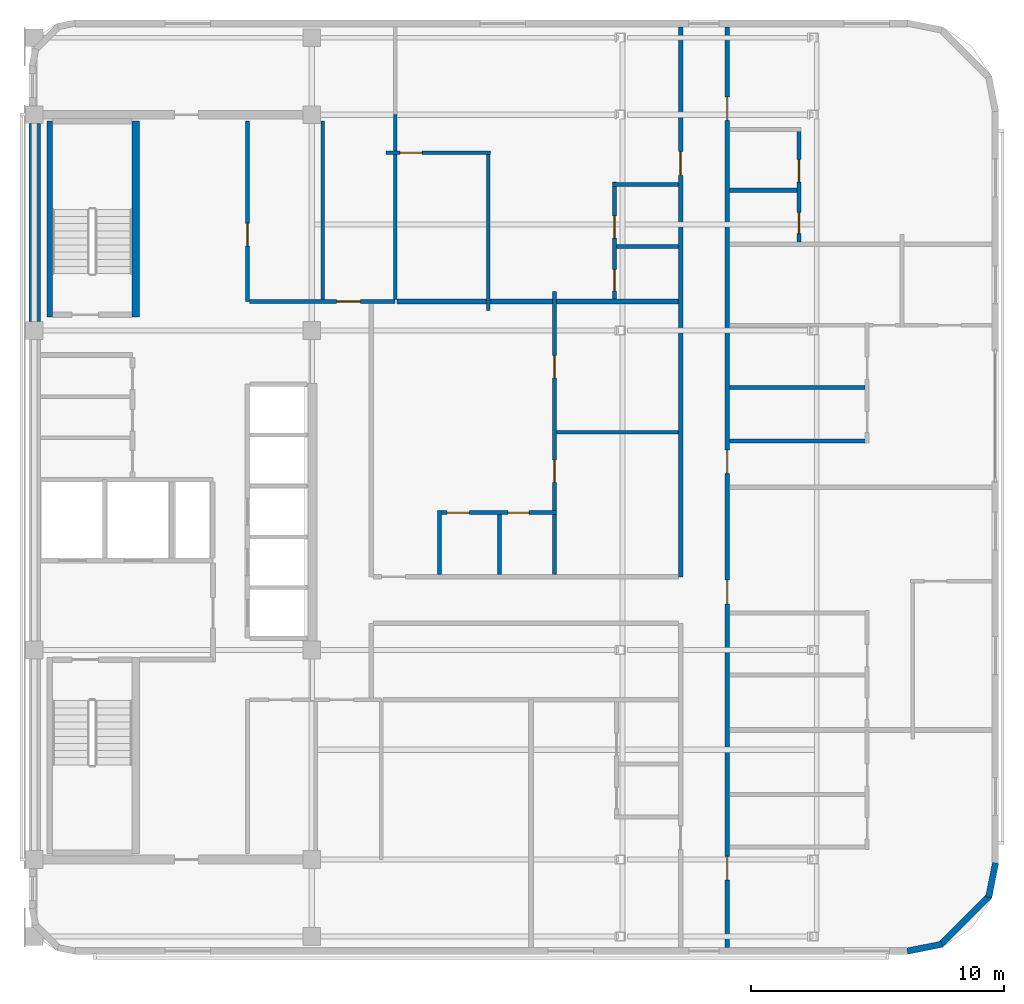
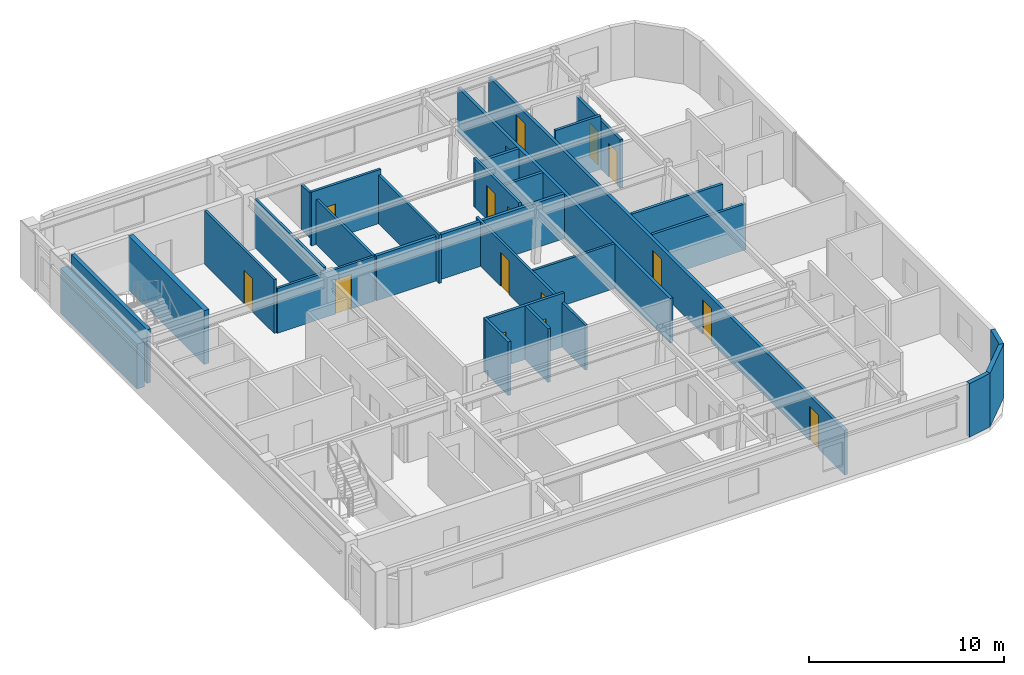
# One storey, part 5 of 10: 27 walls, 16 doors, 16 openings.
"""IFC4 building model written with IfcOpenShell, lengths in metres."""

from ifc_helpers import new_model, si_unit, direction, frame, frame_2d, origin, place, context, subcontext, project, spatial, rectangle, extrude, material, layer, layer_set, type_object, element, fill, save


model = new_model("IFC4")

# Units and contexts
model_context = context("Model", 3, precision=1e-05, world=origin(), true_north=direction((0.0, 1.0)))
body_context = subcontext(model_context, "Body", "Model", "MODEL_VIEW")
ifc_project = project(units=[si_unit("LENGTHUNIT", "METRE"), si_unit("AREAUNIT", "SQUARE_METRE"), si_unit("VOLUMEUNIT", "CUBIC_METRE"), si_unit("PLANEANGLEUNIT", "RADIAN"), si_unit("MASSUNIT", "GRAM", prefix="KILO")], contexts=[model_context])

# Site, building, storey
site_placement = place(None, origin())
site = spatial("IfcSite", under=ifc_project, at=site_placement, CompositionType="ELEMENT")
building_placement = place(site_placement, origin())
building = spatial("IfcBuilding", under=site, at=building_placement, Name="Ochreholt Gables", CompositionType="ELEMENT")
storey_placement = place(building_placement, frame((0.0, 0.0, 213.0)))
storey = spatial("IfcBuildingStorey", under=building, at=storey_placement, Name="L55", CompositionType="ELEMENT", Elevation=213.0)

# Walls
ifc_material_1 = material(Name="Concrete 50 MPa", Category="concrete")
ifc_layer_1 = layer(ifc_material_1, 0.449951171875, Name="Concrete 50 MPa")
ifc_layer_set_1 = layer_set([ifc_layer_1], Name="Concrete 50 MPa")
wall_type_1 = type_object("IfcWallType", Name="WALL-CSW-EXT", PredefinedType="SHEAR", material=ifc_layer_set_1)
wall_1_placement = place(storey_placement, frame((24.22509765625, 30.550048828125, 0.0), z_axis=(0.0, 0.0, 1.0), x_axis=(0.0, 1.0, 0.0)))
element("IfcWall", 1, at=wall_1_placement, inside=storey, type_object=wall_type_1, Name="L55 Core West Shear Wall WN", PredefinedType="SHEAR", context=body_context, shape_type="SweptSolid", body=[
    extrude(rectangle(XDim=7.849853515625, YDim=0.449951171875, at=frame_2d((3.9248046875, 0.0))), origin(), (0.0, 0.0, 1.0), 2.821044921875),
])
ifc_material_2 = material(Name="Precast concrete 40 MPa", Category="concrete")
ifc_layer_2 = layer(ifc_material_2, 0.25, Name="Precast concrete 40 MPa")
ifc_layer_set_2 = layer_set([ifc_layer_2], Name="Precast concrete 40 MPa")
wall_type_2 = type_object("IfcWallType", Name="WALL-EXT-CNR", PredefinedType="SOLIDWALL", material=ifc_layer_set_2)
wall_2_placement = place(storey_placement, frame((58.783447265625, 5.624267578125, 0.0), z_axis=(0.0, 0.0, 1.0), x_axis=(0.980809899341, 0.19496651342, 0.0)))
element("IfcWall", 2, at=wall_2_placement, inside=storey, type_object=wall_type_2, Name="L55 Rounded Corner Wall SE-1", PredefinedType="SOLIDWALL", context=body_context, shape_type="SweptSolid", body=[
    extrude(rectangle(XDim=1.388671875, YDim=0.25, at=frame_2d((0.6943359375, 0.0))), origin(), (0.0, 0.0, 1.0), 3.360107421875),
])
wall_3_placement = place(storey_placement, frame((60.094970703125, 5.867919921875, 0.0), z_axis=(0.0, 0.0, 1.0), x_axis=(0.707106781187, 0.707106781187, 0.0)))
element("IfcWall", 3, at=wall_3_placement, inside=storey, type_object=wall_type_2, Name="L55 Rounded Corner Wall SE-2", PredefinedType="SOLIDWALL", context=body_context, shape_type="SweptSolid", body=[
    extrude(rectangle(XDim=2.7392578125, YDim=0.25, at=frame_2d((1.36962890625, 0.0))), origin(), (0.0, 0.0, 1.0), 3.360107421875),
])
wall_4_placement = place(storey_placement, frame((62.0048828125, 7.75439453125, 0.0), z_axis=(0.0, 0.0, 1.0), x_axis=(0.195135625965, 0.9807762678, 0.0)))
element("IfcWall", 4, at=wall_4_placement, inside=storey, type_object=wall_type_2, Name="L55 Rounded Corner Wall SE-3", PredefinedType="SOLIDWALL", context=body_context, shape_type="SweptSolid", body=[
    extrude(rectangle(XDim=1.388671875, YDim=0.25, at=frame_2d((0.6943359375, 0.0))), origin(), (0.0, 0.0, 1.0), 3.360107421875),
])

# Wall, opening, door
ifc_material_3 = material(Name="Fire-Rated Gypsum Acoustic Partition", Category="gypsum")
ifc_layer_3 = layer(ifc_material_3, 0.179931640625, Name="Fire-Rated Gypsum Acoustic Partition")
ifc_layer_set_3 = layer_set([ifc_layer_3], Name="Fire-Rated Gypsum Acoustic Partition")
wall_type_3 = type_object("IfcWallType", Name="WALL-INT-CR180", PredefinedType="STANDARD", material=ifc_layer_set_3)
wall_5_placement = place(storey_placement, frame((49.800048828125, 20.449951171875, 0.0), z_axis=(0.0, 0.0, 1.0), x_axis=(0.0, 1.0, 0.0)))
wall_5 = element("IfcWall", 5, at=wall_5_placement, inside=storey, type_object=wall_type_3, Name="L55 Interior Wall WI-C3GW2-L55", PredefinedType="STANDARD", context=body_context, shape_type="SweptSolid", body=[
    extrude(rectangle(XDim=21.780029296875, YDim=0.179931640625, at=frame_2d((10.89013671875, 0.0))), origin(), (0.0, 0.0, 1.0), 2.802978515625),
])
opening_1_placement = place(wall_5_placement, frame((15.89990234375, 0.0, 0.0)))
opening_1 = element("IfcOpeningElement", 6, at=opening_1_placement, cuts=wall_5, Name="Opening D-UN2", PredefinedType="OPENING", context=body_context, shape_type="SweptSolid", body=[
    extrude(rectangle(XDim=0.93994140625, YDim=2.14990234375, at=frame_2d((0.469970703125, 1.074951171875))), frame((0.0, 0.099853515625, 0.0), z_axis=(0.0, -1.0, 0.0), x_axis=(1.0, 0.0, 0.0)), (0.0, 0.0, 1.0), 0.199951171875),
])
ifc_material_4 = material(Name="Engineered Oak Timber", Category="wood")
door_type_1 = type_object("IfcDoorType", Name="DR-INT-UNT940", OperationType="NOTDEFINED", PredefinedType="DOOR", material=ifc_material_4)
door_1_placement = place(opening_1_placement, origin())
door_1 = element("IfcDoor", 7, at=door_1_placement, inside=storey, type_object=door_type_1, Name="L55 Door D-U-L55NM2-ENT", OperationType="SINGLE_SWING_LEFT", OverallHeight=2.14990234375, OverallWidth=0.93994140625, PredefinedType="DOOR", context=body_context, shape_type="SweptSolid", body=[
    extrude(rectangle(XDim=0.93994140625, YDim=2.14990234375, at=frame_2d((0.469970703125, 1.074951171875))), frame((0.0, 0.02490234375, 0.0), z_axis=(0.0, -1.0, 0.0), x_axis=(1.0, 0.0, 0.0)), (0.0, 0.0, 1.0), 0.050048828125),
])
fill(opening_1, door_1)

# Wall, openings, doors
wall_6_placement = place(storey_placement, frame((51.64990234375, 5.77001953125, 0.0), z_axis=(0.0, 0.0, 1.0), x_axis=(0.0, 1.0, 0.0)))
wall_6 = element("IfcWall", 8, at=wall_6_placement, inside=storey, type_object=wall_type_3, Name="L55 Interior Wall WI-C3GE-L55", PredefinedType="STANDARD", context=body_context, shape_type="SweptSolid", body=[
    extrude(rectangle(XDim=36.4599609375, YDim=0.179931640625, at=frame_2d((18.22998046875, 0.0))), origin(), (0.0, 0.0, 1.0), 2.802978515625),
])
opening_2_placement = place(wall_6_placement, frame((2.669921875, 0.0, 0.0)))
opening_2 = element("IfcOpeningElement", 9, at=opening_2_placement, cuts=wall_6, Name="Opening D-UN2", PredefinedType="OPENING", context=body_context, shape_type="SweptSolid", body=[
    extrude(rectangle(XDim=0.93994140625, YDim=2.14990234375, at=frame_2d((0.469970703125, 1.074951171875))), frame((0.0, 0.099853515625, 0.0), z_axis=(0.0, -1.0, 0.0), x_axis=(1.0, 0.0, 0.0)), (0.0, 0.0, 1.0), 0.199951171875),
])
opening_3_placement = place(wall_6_placement, frame((13.610107421875, 0.0, 0.0)))
opening_3 = element("IfcOpeningElement", 10, at=opening_3_placement, cuts=wall_6, Name="Opening D-UN2", PredefinedType="OPENING", context=body_context, shape_type="SweptSolid", body=[
    extrude(rectangle(XDim=0.93994140625, YDim=2.14990234375, at=frame_2d((0.469970703125, 1.074951171875))), frame((0.0, 0.099853515625, 0.0), z_axis=(0.0, -1.0, 0.0), x_axis=(1.0, 0.0, 0.0)), (0.0, 0.0, 1.0), 0.199951171875),
])
opening_4_placement = place(wall_6_placement, frame((18.760009765625, 0.0, 0.0)))
opening_4 = element("IfcOpeningElement", 11, at=opening_4_placement, cuts=wall_6, Name="Opening D-UN2", PredefinedType="OPENING", context=body_context, shape_type="SweptSolid", body=[
    extrude(rectangle(XDim=0.93994140625, YDim=2.14990234375, at=frame_2d((0.469970703125, 1.074951171875))), frame((0.0, 0.099853515625, 0.0), z_axis=(0.0, -1.0, 0.0), x_axis=(1.0, 0.0, 0.0)), (0.0, 0.0, 1.0), 0.199951171875),
])
opening_5_placement = place(wall_6_placement, frame((32.75, 0.0, 0.0)))
opening_5 = element("IfcOpeningElement", 12, at=opening_5_placement, cuts=wall_6, Name="Opening D-UN2", PredefinedType="OPENING", context=body_context, shape_type="SweptSolid", body=[
    extrude(rectangle(XDim=0.93994140625, YDim=2.14990234375, at=frame_2d((0.469970703125, 1.074951171875))), frame((0.0, 0.099853515625, 0.0), z_axis=(0.0, -1.0, 0.0), x_axis=(1.0, 0.0, 0.0)), (0.0, 0.0, 1.0), 0.199951171875),
])
door_2_placement = place(opening_2_placement, origin())
door_2 = element("IfcDoor", 13, at=door_2_placement, inside=storey, type_object=door_type_1, Name="L55 Door D-U-L55E1-ENT", OperationType="SINGLE_SWING_RIGHT", OverallHeight=2.14990234375, OverallWidth=0.93994140625, PredefinedType="DOOR", context=body_context, shape_type="SweptSolid", body=[
    extrude(rectangle(XDim=0.93994140625, YDim=2.14990234375, at=frame_2d((0.469970703125, 1.074951171875))), frame((0.0, 0.02490234375, 0.0), z_axis=(0.0, -1.0, 0.0), x_axis=(1.0, 0.0, 0.0)), (0.0, 0.0, 1.0), 0.050048828125),
])
fill(opening_2, door_2)
door_3_placement = place(opening_3_placement, origin())
door_3 = element("IfcDoor", 14, at=door_3_placement, inside=storey, type_object=door_type_1, Name="L55 Door D-U-L55E2-ENT", OperationType="SINGLE_SWING_LEFT", OverallHeight=2.14990234375, OverallWidth=0.93994140625, PredefinedType="DOOR", context=body_context, shape_type="SweptSolid", body=[
    extrude(rectangle(XDim=0.93994140625, YDim=2.14990234375, at=frame_2d((0.469970703125, 1.074951171875))), frame((0.0, 0.02490234375, 0.0), z_axis=(0.0, -1.0, 0.0), x_axis=(1.0, 0.0, 0.0)), (0.0, 0.0, 1.0), 0.050048828125),
])
fill(opening_3, door_3)
door_4_placement = place(opening_4_placement, origin())
door_4 = element("IfcDoor", 15, at=door_4_placement, inside=storey, type_object=door_type_1, Name="L55 Door D-U-L55E3-ENT", OperationType="SINGLE_SWING_RIGHT", OverallHeight=2.14990234375, OverallWidth=0.93994140625, PredefinedType="DOOR", context=body_context, shape_type="SweptSolid", body=[
    extrude(rectangle(XDim=0.93994140625, YDim=2.14990234375, at=frame_2d((0.469970703125, 1.074951171875))), frame((0.0, 0.02490234375, 0.0), z_axis=(0.0, -1.0, 0.0), x_axis=(1.0, 0.0, 0.0)), (0.0, 0.0, 1.0), 0.050048828125),
])
fill(opening_4, door_4)
door_5_placement = place(opening_5_placement, origin())
door_5 = element("IfcDoor", 16, at=door_5_placement, inside=storey, type_object=door_type_1, Name="L55 Door D-U-L55E4-ENT", OperationType="SINGLE_SWING_LEFT", OverallHeight=2.14990234375, OverallWidth=0.93994140625, PredefinedType="DOOR", context=body_context, shape_type="SweptSolid", body=[
    extrude(rectangle(XDim=0.93994140625, YDim=2.14990234375, at=frame_2d((0.469970703125, 1.074951171875))), frame((0.0, 0.02490234375, 0.0), z_axis=(0.0, -1.0, 0.0), x_axis=(1.0, 0.0, 0.0)), (0.0, 0.0, 1.0), 0.050048828125),
])
fill(opening_5, door_5)

# Walls
ifc_material_5 = material(Name="Double-Stud Acoustic Demising Wall", Category="gypsum")
ifc_layer_4 = layer(ifc_material_5, 0.18505859375, Name="Double-Stud Acoustic Demising Wall")
ifc_layer_set_4 = layer_set([ifc_layer_4], Name="Double-Stud Acoustic Demising Wall")
wall_type_4 = type_object("IfcWallType", Name="WALL-INT-DM185", PredefinedType="PARTITIONING", material=ifc_layer_set_4)
wall_7_placement = place(storey_placement, frame((38.572509765625, 31.35009765625, 0.0), z_axis=(0.0, 0.0, 1.0), x_axis=(1.0, 0.0, 0.0)))
element("IfcWall", 17, at=wall_7_placement, inside=storey, type_object=wall_type_4, Name="L55 Interior Wall WI-C3NMY-L55", PredefinedType="PARTITIONING", context=body_context, shape_type="SweptSolid", body=[
    extrude(rectangle(XDim=11.137451171875, YDim=0.18505859375, at=frame_2d((5.56884765625, 0.0))), origin(), (0.0, 0.0, 1.0), 2.802978515625),
])
ifc_material_6 = material(Name="Moisture-Resistant Plumbing Chase Wall", Category="gypsum")
ifc_layer_5 = layer(ifc_material_6, 0.159912109375, Name="Moisture-Resistant Plumbing Chase Wall")
ifc_layer_set_5 = layer_set([ifc_layer_5], Name="Moisture-Resistant Plumbing Chase Wall")
wall_type_5 = type_object("IfcWallType", Name="WALL-INT-PL160", PredefinedType="PLUMBINGWALL", material=ifc_layer_set_5)
wall_8_placement = place(storey_placement, frame((51.739990234375, 25.830078125, 0.0), z_axis=(0.0, 0.0, 1.0), x_axis=(1.0, 0.0, 0.0)))
element("IfcWall", 18, at=wall_8_placement, inside=storey, type_object=wall_type_5, Name="L55 Interior Wall WU-L55E3-FYS", PredefinedType="PLUMBINGWALL", context=body_context, shape_type="SweptSolid", body=[
    extrude(rectangle(XDim=5.530029296875, YDim=0.159912109375, at=frame_2d((2.76513671875, 0.0))), origin(), (0.0, 0.0, 1.0), 2.87890625),
])
wall_9_placement = place(storey_placement, frame((51.739990234375, 27.93896484375, 0.0), z_axis=(0.0, 0.0, 1.0), x_axis=(1.0, 0.0, 0.0)))
element("IfcWall", 19, at=wall_9_placement, inside=storey, type_object=wall_type_5, Name="L55 Interior Wall WU-L55E3-WK", PredefinedType="PLUMBINGWALL", context=body_context, shape_type="SweptSolid", body=[
    extrude(rectangle(XDim=5.3701171875, YDim=0.159912109375, at=frame_2d((2.68505859375, 0.0))), origin(), (0.0, 0.0, 1.0), 2.87890625),
])

# Wall, openings, doors
wall_10_placement = place(storey_placement, frame((54.493896484375, 33.71240234375, 0.0), z_axis=(0.0, 0.0, 1.0), x_axis=(0.0, 1.0, 0.0)))
wall_10 = element("IfcWall", 20, at=wall_10_placement, inside=storey, type_object=wall_type_5, Name="L55 Interior Wall WU-L55E4-WX", PredefinedType="PLUMBINGWALL", context=body_context, shape_type="SweptSolid", body=[
    extrude(rectangle(XDim=4.53759765625, YDim=0.159912109375, at=frame_2d((2.268798828125, 0.0))), origin(), (0.0, 0.0, 1.0), 3.0390625),
])
opening_6_placement = place(wall_10_placement, frame((0.327392578125, 0.0, 0.0)))
opening_6 = element("IfcOpeningElement", 21, at=opening_6_placement, cuts=wall_10, Name="Opening D-BT2", PredefinedType="OPENING", context=body_context, shape_type="SweptSolid", body=[
    extrude(rectangle(XDim=0.840087890625, YDim=2.1201171875, at=frame_2d((0.419921875, 1.06005859375))), frame((0.0, 0.08984375, 0.0), z_axis=(0.0, -1.0, 0.0), x_axis=(1.0, 0.0, 0.0)), (0.0, 0.0, 1.0), 0.179931640625),
])
opening_7_placement = place(wall_10_placement, frame((2.37451171875, 0.0, 0.0)))
opening_7 = element("IfcOpeningElement", 22, at=opening_7_placement, cuts=wall_10, Name="Opening D-GN2", PredefinedType="OPENING", context=body_context, shape_type="SweptSolid", body=[
    extrude(rectangle(XDim=0.8798828125, YDim=2.1201171875, at=frame_2d((0.43994140625, 1.06005859375))), frame((0.0, 0.08984375, 0.0), z_axis=(0.0, -1.0, 0.0), x_axis=(1.0, 0.0, 0.0)), (0.0, 0.0, 1.0), 0.179931640625),
])
door_type_2 = type_object("IfcDoorType", Name="DR-INT-BTH840", OperationType="NOTDEFINED", PredefinedType="DOOR", material=ifc_material_4)
door_6_placement = place(opening_6_placement, origin())
door_6 = element("IfcDoor", 23, at=door_6_placement, inside=storey, type_object=door_type_2, Name="L55 Door D-U-L55E4-BTH", OperationType="SINGLE_SWING_RIGHT", OverallHeight=2.1201171875, OverallWidth=0.840087890625, PredefinedType="DOOR", context=body_context, shape_type="SweptSolid", body=[
    extrude(rectangle(XDim=0.840087890625, YDim=2.1201171875, at=frame_2d((0.419921875, 1.06005859375))), frame((0.0, 0.02490234375, 0.0), z_axis=(0.0, -1.0, 0.0), x_axis=(1.0, 0.0, 0.0)), (0.0, 0.0, 1.0), 0.050048828125),
])
fill(opening_6, door_6)
door_type_3 = type_object("IfcDoorType", Name="DR-INT-GEN880", OperationType="NOTDEFINED", PredefinedType="DOOR", material=ifc_material_4)
door_7_placement = place(opening_7_placement, origin())
door_7 = element("IfcDoor", 24, at=door_7_placement, inside=storey, type_object=door_type_3, Name="L55 Door D-U-L55E4-KIT", OperationType="SINGLE_SWING_LEFT", OverallHeight=2.1201171875, OverallWidth=0.8798828125, PredefinedType="DOOR", context=body_context, shape_type="SweptSolid", body=[
    extrude(rectangle(XDim=0.8798828125, YDim=2.1201171875, at=frame_2d((0.43994140625, 1.06005859375))), frame((0.0, 0.02490234375, 0.0), z_axis=(0.0, -1.0, 0.0), x_axis=(1.0, 0.0, 0.0)), (0.0, 0.0, 1.0), 0.050048828125),
])
fill(opening_7, door_7)

# Wall
wall_11_placement = place(storey_placement, frame((51.739990234375, 35.757080078125, 0.0), z_axis=(0.0, 0.0, 1.0), x_axis=(1.0, 0.0, 0.0)))
element("IfcWall", 25, at=wall_11_placement, inside=storey, type_object=wall_type_5, Name="L55 Interior Wall WU-L55E4-WM", PredefinedType="PLUMBINGWALL", context=body_context, shape_type="SweptSolid", body=[
    extrude(rectangle(XDim=2.674072265625, YDim=0.159912109375, at=frame_2d((1.3369140625, 0.0))), origin(), (0.0, 0.0, 1.0), 3.360107421875),
])

# Wall, openings, doors
wall_12_placement = place(storey_placement, frame((40.179931640625, 22.989990234375, 0.0), z_axis=(0.0, 0.0, 1.0), x_axis=(1.0, 0.0, 0.0)))
wall_12 = element("IfcWall", 26, at=wall_12_placement, inside=storey, type_object=wall_type_5, Name="L55 Interior Wall WU-L55NM1-WY", PredefinedType="PLUMBINGWALL", context=body_context, shape_type="SweptSolid", body=[
    extrude(rectangle(XDim=4.7099609375, YDim=0.159912109375, at=frame_2d((2.35498046875, 0.0))), origin(), (0.0, 0.0, 1.0), 3.360107421875),
])
opening_8_placement = place(wall_12_placement, frame((0.3798828125, 0.0, 0.0)))
opening_8 = element("IfcOpeningElement", 27, at=opening_8_placement, cuts=wall_12, Name="Opening D-GN2", PredefinedType="OPENING", context=body_context, shape_type="SweptSolid", body=[
    extrude(rectangle(XDim=0.8798828125, YDim=2.1201171875, at=frame_2d((0.43994140625, 1.06005859375))), frame((0.0, 0.08984375, 0.0), z_axis=(0.0, -1.0, 0.0), x_axis=(1.0, 0.0, 0.0)), (0.0, 0.0, 1.0), 0.179931640625),
])
opening_9_placement = place(wall_12_placement, frame((2.785888671875, 0.0, 0.0)))
opening_9 = element("IfcOpeningElement", 28, at=opening_9_placement, cuts=wall_12, Name="Opening D-BT2", PredefinedType="OPENING", context=body_context, shape_type="SweptSolid", body=[
    extrude(rectangle(XDim=0.840087890625, YDim=2.1201171875, at=frame_2d((0.419921875, 1.06005859375))), frame((0.0, 0.08984375, 0.0), z_axis=(0.0, -1.0, 0.0), x_axis=(1.0, 0.0, 0.0)), (0.0, 0.0, 1.0), 0.179931640625),
])
door_8_placement = place(opening_9_placement, origin())
door_8 = element("IfcDoor", 29, at=door_8_placement, inside=storey, type_object=door_type_2, Name="L55 Door D-U-L55NM1-BTH", OperationType="SINGLE_SWING_RIGHT", OverallHeight=2.1201171875, OverallWidth=0.840087890625, PredefinedType="DOOR", context=body_context, shape_type="SweptSolid", body=[
    extrude(rectangle(XDim=0.840087890625, YDim=2.1201171875, at=frame_2d((0.419921875, 1.06005859375))), frame((0.0, 0.02490234375, 0.0), z_axis=(0.0, -1.0, 0.0), x_axis=(1.0, 0.0, 0.0)), (0.0, 0.0, 1.0), 0.050048828125),
])
fill(opening_9, door_8)
door_9_placement = place(opening_8_placement, origin())
door_9 = element("IfcDoor", 30, at=door_9_placement, inside=storey, type_object=door_type_3, Name="L55 Door D-U-L55NM1-KIT", OperationType="SINGLE_SWING_LEFT", OverallHeight=2.1201171875, OverallWidth=0.8798828125, PredefinedType="DOOR", context=body_context, shape_type="SweptSolid", body=[
    extrude(rectangle(XDim=0.8798828125, YDim=2.1201171875, at=frame_2d((0.43994140625, 1.06005859375))), frame((0.0, 0.02490234375, 0.0), z_axis=(0.0, -1.0, 0.0), x_axis=(1.0, 0.0, 0.0)), (0.0, 0.0, 1.0), 0.050048828125),
])
fill(opening_8, door_9)

# Walls
wall_13_placement = place(storey_placement, frame((40.260009765625, 20.5400390625, 0.0), z_axis=(0.0, 0.0, 1.0), x_axis=(0.0, 1.0, 0.0)))
element("IfcWall", 31, at=wall_13_placement, inside=storey, type_object=wall_type_5, Name="L55 Interior Wall WU-L55NM1-FY", PredefinedType="PLUMBINGWALL", context=body_context, shape_type="SweptSolid", body=[
    extrude(rectangle(XDim=2.530029296875, YDim=0.159912109375, at=frame_2d((1.26513671875, 0.0))), origin(), (0.0, 0.0, 1.0), 3.360107421875),
])
wall_14_placement = place(storey_placement, frame((42.6259765625, 20.5400390625, 0.0), z_axis=(0.0, 0.0, 1.0), x_axis=(0.0, 1.0, 0.0)))
element("IfcWall", 32, at=wall_14_placement, inside=storey, type_object=wall_type_5, Name="L55 Interior Wall WU-L55NM1-WK", PredefinedType="PLUMBINGWALL", context=body_context, shape_type="SweptSolid", body=[
    extrude(rectangle(XDim=2.369873046875, YDim=0.159912109375, at=frame_2d((1.18505859375, 0.0))), origin(), (0.0, 0.0, 1.0), 3.360107421875),
])
wall_15_placement = place(storey_placement, frame((47.10400390625, 35.989990234375, 0.0), z_axis=(0.0, 0.0, 1.0), x_axis=(1.0, 0.0, 0.0)))
element("IfcWall", 33, at=wall_15_placement, inside=storey, type_object=wall_type_5, Name="L55 Interior Wall WU-L55NM2-WYN", PredefinedType="PLUMBINGWALL", context=body_context, shape_type="SweptSolid", body=[
    extrude(rectangle(XDim=2.60595703125, YDim=0.159912109375, at=frame_2d((1.302978515625, 0.0))), origin(), (0.0, 0.0, 1.0), 2.802978515625),
])

# Wall, openings, doors
wall_16_placement = place(storey_placement, frame((47.18408203125, 31.4423828125, 0.0), z_axis=(0.0, 0.0, 1.0), x_axis=(0.0, 1.0, 0.0)))
wall_16 = element("IfcWall", 34, at=wall_16_placement, inside=storey, type_object=wall_type_5, Name="L55 Interior Wall WU-L55NM2-WX", PredefinedType="PLUMBINGWALL", context=body_context, shape_type="SweptSolid", body=[
    extrude(rectangle(XDim=4.6376953125, YDim=0.159912109375, at=frame_2d((2.31884765625, 0.0))), origin(), (0.0, 0.0, 1.0), 3.0390625),
])
opening_10_placement = place(wall_16_placement, frame((0.327392578125, 0.0, 0.0)))
opening_10 = element("IfcOpeningElement", 35, at=opening_10_placement, cuts=wall_16, Name="Opening D-BT2", PredefinedType="OPENING", context=body_context, shape_type="SweptSolid", body=[
    extrude(rectangle(XDim=0.840087890625, YDim=2.1201171875, at=frame_2d((0.419921875, 1.06005859375))), frame((0.0, 0.08984375, 0.0), z_axis=(0.0, -1.0, 0.0), x_axis=(1.0, 0.0, 0.0)), (0.0, 0.0, 1.0), 0.179931640625),
])
opening_11_placement = place(wall_16_placement, frame((2.42041015625, 0.0, 0.0)))
opening_11 = element("IfcOpeningElement", 36, at=opening_11_placement, cuts=wall_16, Name="Opening D-GN2", PredefinedType="OPENING", context=body_context, shape_type="SweptSolid", body=[
    extrude(rectangle(XDim=0.8798828125, YDim=2.1201171875, at=frame_2d((0.43994140625, 1.06005859375))), frame((0.0, 0.08984375, 0.0), z_axis=(0.0, -1.0, 0.0), x_axis=(1.0, 0.0, 0.0)), (0.0, 0.0, 1.0), 0.179931640625),
])
door_10_placement = place(opening_10_placement, origin())
door_10 = element("IfcDoor", 37, at=door_10_placement, inside=storey, type_object=door_type_2, Name="L55 Door D-U-L55NM2-BTH", OperationType="SINGLE_SWING_RIGHT", OverallHeight=2.1201171875, OverallWidth=0.840087890625, PredefinedType="DOOR", context=body_context, shape_type="SweptSolid", body=[
    extrude(rectangle(XDim=0.840087890625, YDim=2.1201171875, at=frame_2d((0.419921875, 1.06005859375))), frame((0.0, 0.02490234375, 0.0), z_axis=(0.0, -1.0, 0.0), x_axis=(1.0, 0.0, 0.0)), (0.0, 0.0, 1.0), 0.050048828125),
])
fill(opening_10, door_10)
door_11_placement = place(opening_11_placement, origin())
door_11 = element("IfcDoor", 38, at=door_11_placement, inside=storey, type_object=door_type_3, Name="L55 Door D-U-L55NM2-KIT", OperationType="SINGLE_SWING_LEFT", OverallHeight=2.1201171875, OverallWidth=0.8798828125, PredefinedType="DOOR", context=body_context, shape_type="SweptSolid", body=[
    extrude(rectangle(XDim=0.8798828125, YDim=2.1201171875, at=frame_2d((0.43994140625, 1.06005859375))), frame((0.0, 0.02490234375, 0.0), z_axis=(0.0, -1.0, 0.0), x_axis=(1.0, 0.0, 0.0)), (0.0, 0.0, 1.0), 0.050048828125),
])
fill(opening_11, door_11)

# Wall
wall_17_placement = place(storey_placement, frame((47.263916015625, 33.532958984375, 0.0), z_axis=(0.0, 0.0, 1.0), x_axis=(1.0, 0.0, 0.0)))
element("IfcWall", 39, at=wall_17_placement, inside=storey, type_object=wall_type_5, Name="L55 Interior Wall WU-L55NM2-WM", PredefinedType="PLUMBINGWALL", context=body_context, shape_type="SweptSolid", body=[
    extrude(rectangle(XDim=2.446044921875, YDim=0.159912109375, at=frame_2d((1.22314453125, 0.0))), origin(), (0.0, 0.0, 1.0), 2.802978515625),
])

# Wall, opening, door
ifc_material_7 = material(Name="Lightweight Stud Partition", Category="gypsum")
ifc_layer_6 = layer(ifc_material_7, 0.14501953125, Name="Lightweight Stud Partition")
ifc_layer_set_6 = layer_set([ifc_layer_6], Name="Lightweight Stud Partition")
wall_type_6 = type_object("IfcWallType", Name="WALL-INT-PT145", PredefinedType="PARTITIONING", material=ifc_layer_set_6)
wall_18_placement = place(storey_placement, frame((32.64990234375, 31.35009765625, 0.0), z_axis=(0.0, 0.0, 1.0), x_axis=(0.0, 1.0, 0.0)))
wall_18 = element("IfcWall", 40, at=wall_18_placement, inside=storey, type_object=wall_type_6, Name="L55 Interior Wall WI-RCM-W-L55", PredefinedType="PARTITIONING", context=body_context, shape_type="SweptSolid", body=[
    extrude(rectangle(XDim=7.14990234375, YDim=0.14501953125, at=frame_2d((3.574951171875, 0.0))), origin(), (0.0, 0.0, 1.0), 3.360107421875),
])
opening_12_placement = place(wall_18_placement, frame((2.199951171875, 0.0, 0.0)))
opening_12 = element("IfcOpeningElement", 41, at=opening_12_placement, cuts=wall_18, Name="Opening D-SV1", PredefinedType="OPENING", context=body_context, shape_type="SweptSolid", body=[
    extrude(rectangle(XDim=0.89990234375, YDim=2.10009765625, at=frame_2d((0.449951171875, 1.050048828125))), frame((0.0, 0.08251953125, 0.0), z_axis=(0.0, -1.0, 0.0), x_axis=(1.0, 0.0, 0.0)), (0.0, 0.0, 1.0), 0.1650390625),
])
ifc_material_8 = material(Name="Hollow Metal Steel", Category="steel")
door_type_4 = type_object("IfcDoorType", Name="DR-INT-SRV900", OperationType="NOTDEFINED", PredefinedType="DOOR", material=ifc_material_8)
door_12_placement = place(opening_12_placement, origin())
door_12 = element("IfcDoor", 42, at=door_12_placement, inside=storey, type_object=door_type_4, Name="L55 Door D-RCM1-L55", OperationType="SINGLE_SWING_LEFT", OverallHeight=2.10009765625, OverallWidth=0.89990234375, PredefinedType="DOOR", context=body_context, shape_type="SweptSolid", body=[
    extrude(rectangle(XDim=0.89990234375, YDim=2.10009765625, at=frame_2d((0.449951171875, 1.050048828125))), frame((0.0, 0.02490234375, 0.0), z_axis=(0.0, -1.0, 0.0), x_axis=(1.0, 0.0, 0.0)), (0.0, 0.0, 1.0), 0.050048828125),
])
fill(opening_12, door_12)

wall_19_placement = place(storey_placement, frame((32.722412109375, 31.35009765625, 0.0), z_axis=(0.0, 0.0, 1.0), x_axis=(1.0, 0.0, 0.0)))
wall_19 = element("IfcWall", 43, at=wall_19_placement, inside=storey, type_object=wall_type_6, Name="L55 Interior Wall WI-RCM-S-L55", PredefinedType="PARTITIONING", context=body_context, shape_type="SweptSolid", body=[
    extrude(rectangle(XDim=5.777587890625, YDim=0.14501953125, at=frame_2d((2.888671875, 0.0))), origin(), (0.0, 0.0, 1.0), 2.802978515625),
])
opening_13_placement = place(wall_19_placement, frame((3.452392578125, 0.0, 0.0)))
opening_13 = element("IfcOpeningElement", 44, at=opening_13_placement, cuts=wall_19, Name="Opening D-GN1", PredefinedType="OPENING", context=body_context, shape_type="SweptSolid", body=[
    extrude(rectangle(XDim=0.949951171875, YDim=2.14990234375, at=frame_2d((0.47509765625, 1.074951171875))), frame((0.0, 0.08251953125, 0.0), z_axis=(0.0, -1.0, 0.0), x_axis=(1.0, 0.0, 0.0)), (0.0, 0.0, 1.0), 0.1650390625),
])
door_type_5 = type_object("IfcDoorType", Name="DR-INT-GEN950", OperationType="NOTDEFINED", PredefinedType="DOOR", material=ifc_material_4)
door_13_placement = place(opening_13_placement, origin())
door_13 = element("IfcDoor", 45, at=door_13_placement, inside=storey, type_object=door_type_5, Name="L55 Door D-RCM2-L55", OperationType="SINGLE_SWING_RIGHT", OverallHeight=2.14990234375, OverallWidth=0.949951171875, PredefinedType="DOOR", context=body_context, shape_type="SweptSolid", body=[
    extrude(rectangle(XDim=0.949951171875, YDim=2.14990234375, at=frame_2d((0.47509765625, 1.074951171875))), frame((0.0, 0.02490234375, 0.0), z_axis=(0.0, -1.0, 0.0), x_axis=(1.0, 0.0, 0.0)), (0.0, 0.0, 1.0), 0.050048828125),
])
fill(opening_13, door_13)

# Walls
wall_20_placement = place(storey_placement, frame((38.5, 31.422607421875, 0.0), z_axis=(0.0, 0.0, 1.0), x_axis=(0.0, 1.0, 0.0)))
element("IfcWall", 46, at=wall_20_placement, inside=storey, type_object=wall_type_6, Name="L55 Interior Wall WI-RCM-E-L55", PredefinedType="PARTITIONING", context=body_context, shape_type="SweptSolid", body=[
    extrude(rectangle(XDim=7.327392578125, YDim=0.14501953125, at=frame_2d((3.66357421875, 0.0))), origin(), (0.0, 0.0, 1.0), 2.802978515625),
])
wall_21_placement = place(storey_placement, frame((35.625, 31.422607421875, 0.0), z_axis=(0.0, 0.0, 1.0), x_axis=(0.0, 1.0, 0.0)))
element("IfcWall", 47, at=wall_21_placement, inside=storey, type_object=wall_type_6, Name="L55 Interior Wall WI-RCM-DV-L55", PredefinedType="PARTITIONING", context=body_context, shape_type="SweptSolid", body=[
    extrude(rectangle(XDim=7.077392578125, YDim=0.14501953125, at=frame_2d((3.53857421875, 0.0))), origin(), (0.0, 0.0, 1.0), 3.0390625),
])

# Wall, openings, doors
wall_22_placement = place(storey_placement, frame((44.81005859375, 20.5400390625, 0.0), z_axis=(0.0, 0.0, 1.0), x_axis=(0.0, 1.0, 0.0)))
wall_22 = element("IfcWall", 48, at=wall_22_placement, inside=storey, type_object=wall_type_6, Name="L55 Interior Wall WU-L55NM1-MNX", PredefinedType="PARTITIONING", context=body_context, shape_type="SweptSolid", body=[
    extrude(rectangle(XDim=11.199951171875, YDim=0.14501953125, at=frame_2d((5.60009765625, 0.0))), origin(), (0.0, 0.0, 1.0), 2.802978515625),
])
opening_14_placement = place(wall_22_placement, frame((3.64990234375, 0.0, 0.0)))
opening_14 = element("IfcOpeningElement", 49, at=opening_14_placement, cuts=wall_22, Name="Opening D-BD2", PredefinedType="OPENING", context=body_context, shape_type="SweptSolid", body=[
    extrude(rectangle(XDim=0.8798828125, YDim=2.139892578125, at=frame_2d((0.43994140625, 1.06982421875))), frame((0.0, 0.08251953125, 0.0), z_axis=(0.0, -1.0, 0.0), x_axis=(1.0, 0.0, 0.0)), (0.0, 0.0, 1.0), 0.1650390625),
])
opening_15_placement = place(wall_22_placement, frame((7.784912109375, 0.0, 0.0)))
opening_15 = element("IfcOpeningElement", 50, at=opening_15_placement, cuts=wall_22, Name="Opening D-GN2", PredefinedType="OPENING", context=body_context, shape_type="SweptSolid", body=[
    extrude(rectangle(XDim=0.8798828125, YDim=2.1201171875, at=frame_2d((0.43994140625, 1.06005859375))), frame((0.0, 0.08251953125, 0.0), z_axis=(0.0, -1.0, 0.0), x_axis=(1.0, 0.0, 0.0)), (0.0, 0.0, 1.0), 0.1650390625),
])
door_type_6 = type_object("IfcDoorType", Name="DR-INT-BED880", OperationType="NOTDEFINED", PredefinedType="DOOR", material=ifc_material_4)
door_14_placement = place(opening_14_placement, origin())
door_14 = element("IfcDoor", 51, at=door_14_placement, inside=storey, type_object=door_type_6, Name="L55 Door D-U-L55NM1-BD1", OperationType="SINGLE_SWING_RIGHT", OverallHeight=2.139892578125, OverallWidth=0.8798828125, PredefinedType="DOOR", context=body_context, shape_type="SweptSolid", body=[
    extrude(rectangle(XDim=0.8798828125, YDim=2.139892578125, at=frame_2d((0.43994140625, 1.06982421875))), frame((0.0, 0.02490234375, 0.0), z_axis=(0.0, -1.0, 0.0), x_axis=(1.0, 0.0, 0.0)), (0.0, 0.0, 1.0), 0.050048828125),
])
fill(opening_14, door_14)
door_15_placement = place(opening_15_placement, origin())
door_15 = element("IfcDoor", 52, at=door_15_placement, inside=storey, type_object=door_type_3, Name="L55 Door D-U-L55NM1-BD2", OperationType="SINGLE_SWING_LEFT", OverallHeight=2.1201171875, OverallWidth=0.8798828125, PredefinedType="DOOR", context=body_context, shape_type="SweptSolid", body=[
    extrude(rectangle(XDim=0.8798828125, YDim=2.1201171875, at=frame_2d((0.43994140625, 1.06005859375))), frame((0.0, 0.02490234375, 0.0), z_axis=(0.0, -1.0, 0.0), x_axis=(1.0, 0.0, 0.0)), (0.0, 0.0, 1.0), 0.050048828125),
])
fill(opening_15, door_15)

# Walls
wall_23_placement = place(storey_placement, frame((44.889892578125, 26.179931640625, 0.0), z_axis=(0.0, 0.0, 1.0), x_axis=(1.0, 0.0, 0.0)))
element("IfcWall", 53, at=wall_23_placement, inside=storey, type_object=wall_type_6, Name="L55 Interior Wall WU-L55NM1-RDV", PredefinedType="PARTITIONING", context=body_context, shape_type="SweptSolid", body=[
    extrude(rectangle(XDim=4.820068359375, YDim=0.14501953125, at=frame_2d((2.41015625, 0.0))), origin(), (0.0, 0.0, 1.0), 2.802978515625),
])
wall_24_placement = place(storey_placement, frame((42.18994140625, 30.989990234375, 0.0), z_axis=(0.0, 0.0, 1.0), x_axis=(0.0, 1.0, 0.0)))
element("IfcWall", 54, at=wall_24_placement, inside=storey, type_object=wall_type_6, Name="L55 Interior Wall WU-L55NM2-STW", PredefinedType="PARTITIONING", context=body_context, shape_type="SweptSolid", body=[
    extrude(rectangle(XDim=6.25, YDim=0.14501953125, at=frame_2d((3.125, 0.0))), origin(), (0.0, 0.0, 1.0), 3.0390625),
])

# Wall, opening, door
wall_25_placement = place(storey_placement, frame((38.139892578125, 37.239990234375, 0.0), z_axis=(0.0, 0.0, 1.0), x_axis=(1.0, 0.0, 0.0)))
wall_25 = element("IfcWall", 55, at=wall_25_placement, inside=storey, type_object=wall_type_6, Name="L55 Interior Wall WU-L55NM2-STN", PredefinedType="PARTITIONING", context=body_context, shape_type="SweptSolid", body=[
    extrude(rectangle(XDim=4.130126953125, YDim=0.14501953125, at=frame_2d((2.06494140625, 0.0))), origin(), (0.0, 0.0, 1.0), 3.360107421875),
])
opening_16_placement = place(wall_25_placement, frame((0.550048828125, 0.0, 0.0)))
opening_16 = element("IfcOpeningElement", 56, at=opening_16_placement, cuts=wall_25, Name="Opening D-GN2", PredefinedType="OPENING", context=body_context, shape_type="SweptSolid", body=[
    extrude(rectangle(XDim=0.8798828125, YDim=2.1201171875, at=frame_2d((0.43994140625, 1.06005859375))), frame((0.0, 0.08251953125, 0.0), z_axis=(0.0, -1.0, 0.0), x_axis=(1.0, 0.0, 0.0)), (0.0, 0.0, 1.0), 0.1650390625),
])
door_16_placement = place(opening_16_placement, origin())
door_16 = element("IfcDoor", 57, at=door_16_placement, inside=storey, type_object=door_type_3, Name="L55 Door D-U-L55NM2-STD", OperationType="SINGLE_SWING_RIGHT", OverallHeight=2.1201171875, OverallWidth=0.8798828125, PredefinedType="DOOR", context=body_context, shape_type="SweptSolid", body=[
    extrude(rectangle(XDim=0.8798828125, YDim=2.1201171875, at=frame_2d((0.43994140625, 1.06005859375))), frame((0.0, 0.02490234375, 0.0), z_axis=(0.0, -1.0, 0.0), x_axis=(1.0, 0.0, 0.0)), (0.0, 0.0, 1.0), 0.050048828125),
])
fill(opening_16, door_16)

# Walls
ifc_material_9 = material(Name="Concrete 60 MPa", Category="concrete")
ifc_layer_7 = layer(ifc_material_9, 0.300048828125, Name="Concrete 60 MPa")
ifc_layer_set_7 = layer_set([ifc_layer_7], Name="Concrete 60 MPa")
wall_type_7 = type_object("IfcWallType", Name="WALL-SPN-300", PredefinedType="SHEAR", material=ifc_layer_set_7)
wall_26_placement = place(storey_placement, frame((28.22998046875, 30.739990234375, 0.0), z_axis=(0.0, 0.0, 1.0), x_axis=(0.0, 1.0, 0.0)))
element("IfcWall", 58, at=wall_26_placement, inside=storey, type_object=wall_type_7, Name="L55 Core North Spine Shear Wall", PredefinedType="SHEAR", context=body_context, shape_type="SweptSolid", body=[
    extrude(rectangle(XDim=7.760009765625, YDim=0.300048828125, at=frame_2d((3.8798828125, 0.0))), origin(), (0.0, 0.0, 1.0), 3.360107421875),
])
ifc_layer_8 = layer(ifc_material_1, 0.219970703125, Name="Concrete 50 MPa")
ifc_layer_set_8 = layer_set([ifc_layer_8], Name="Concrete 50 MPa")
wall_type_8 = type_object("IfcWallType", Name="WALL-STW-220", PredefinedType="SHEAR", material=ifc_layer_set_8)
wall_27_placement = place(storey_placement, frame((24.81005859375, 30.739990234375, 0.0), z_axis=(0.0, 0.0, 1.0), x_axis=(0.0, 1.0, 0.0)))
element("IfcWall", 59, at=wall_27_placement, inside=storey, type_object=wall_type_8, Name="L55 Exit Stair 2 West Wall", PredefinedType="SHEAR", context=body_context, shape_type="SweptSolid", body=[
    extrude(rectangle(XDim=7.760009765625, YDim=0.219970703125, at=frame_2d((3.8798828125, 0.0))), origin(), (0.0, 0.0, 1.0), 3.360107421875),
])

save(model, "model.ifc")
